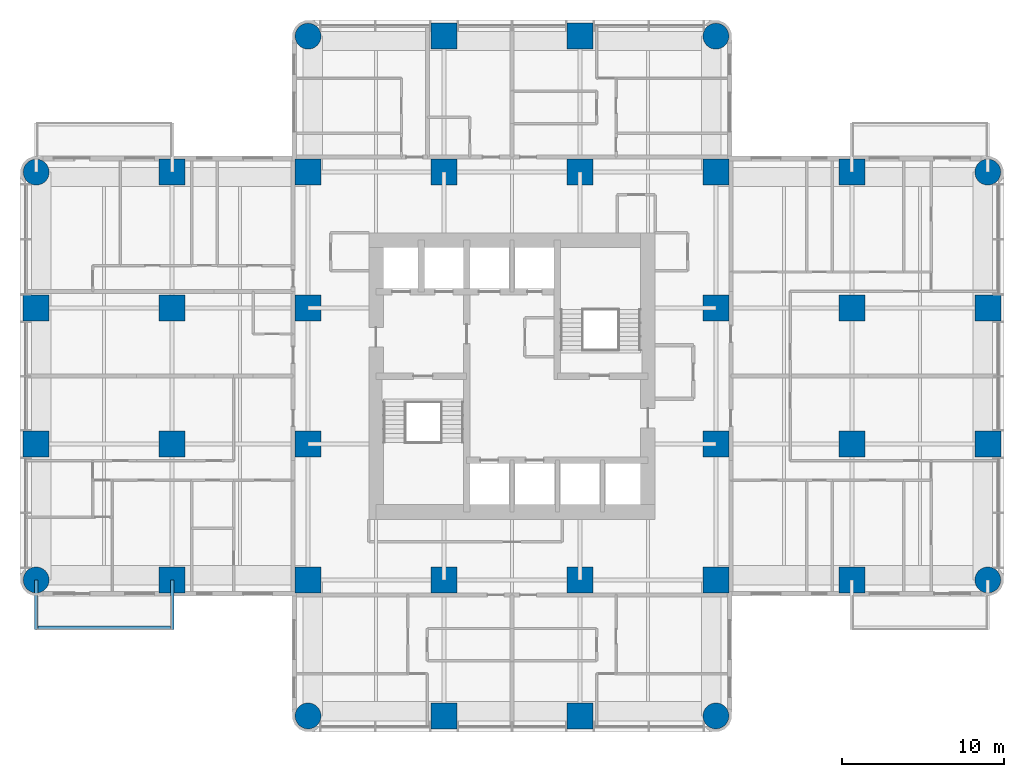
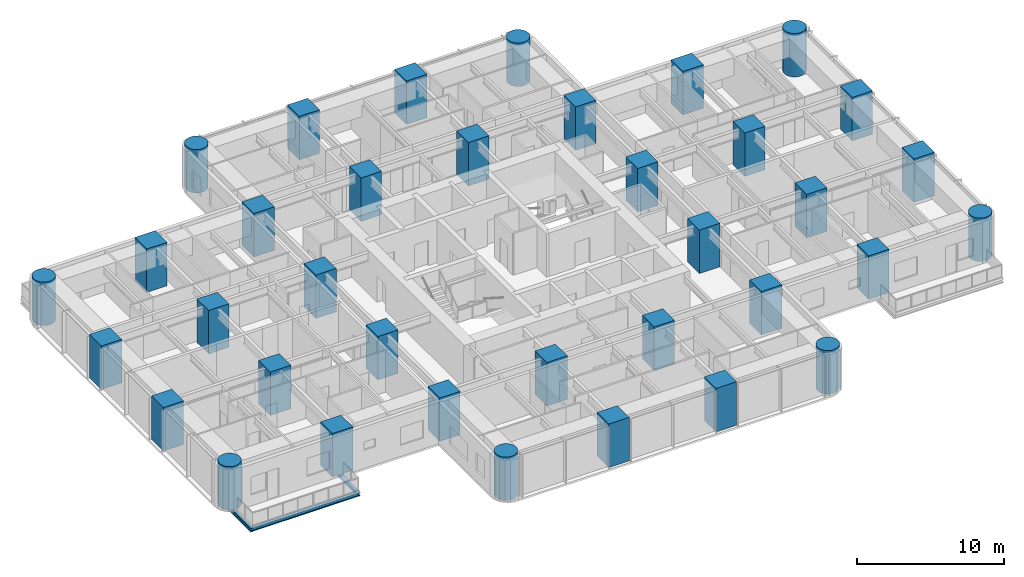
# One storey, part 1 of 14: 36 columns, 3 beams.
"""IFC4 building model written with IfcOpenShell, lengths in metres."""

from ifc_helpers import new_model, si_unit, direction, frame, origin, origin_2d, place, context, subcontext, project, spatial, rectangle, circle, i_section, extrude, material, material_profile, profile_set, type_object, element, save


model = new_model("IFC4")

# Units and contexts
model_context = context("Model", 3, precision=1e-05, world=origin(), true_north=direction((0.0, 1.0)))
body_context = subcontext(model_context, "Body", "Model", "MODEL_VIEW")
ifc_project = project(units=[si_unit("LENGTHUNIT", "METRE"), si_unit("AREAUNIT", "SQUARE_METRE"), si_unit("VOLUMEUNIT", "CUBIC_METRE"), si_unit("PLANEANGLEUNIT", "RADIAN"), si_unit("MASSUNIT", "GRAM", prefix="KILO")], contexts=[model_context])

# Site, building, storey
site_placement = place(None, origin())
site = spatial("IfcSite", under=ifc_project, at=site_placement, CompositionType="ELEMENT")
building_placement = place(site_placement, origin())
building = spatial("IfcBuilding", under=site, at=building_placement, Name="Torre Alcanfor", CompositionType="ELEMENT")
storey_placement = place(building_placement, frame((0.0, 0.0, 134.10009765625)))
storey = spatial("IfcBuildingStorey", under=building, at=storey_placement, Name="L34", CompositionType="ELEMENT", Elevation=134.10009765625)

# Columns
ifc_material_1 = material(Name="Concrete f'c 70 MPa", Category="concrete")
ifc_material_profile_1 = material_profile(ifc_material_1, rectangle(XDim=1.60009765625, YDim=1.60009765625, at=origin_2d()), Name="1600x1600")
ifc_profile_set_1 = profile_set([ifc_material_profile_1], Name="Concrete f'c 70 MPa")
column_type_1 = type_object("IfcColumnType", Name="RC column 1600x1600 f'c70", PredefinedType="COLUMN", material=ifc_profile_set_1)
for number, where, z_axis, x_axis, name in (
    (1, (0.0, 25.199951171875, 0.0), (0.0, 0.0, 1.0), (1.0, 0.0, 0.0), "Column 1/F L34"),
    (2, (0.0, 33.60009765625, 0.0), (0.0, 0.0, 1.0), (1.0, 0.0, 0.0), "Column 1/G L34"),
    (3, (8.39990234375, 16.800048828125, 0.0), (0.0, 0.0, 1.0), (1.0, 0.0, 0.0), "Column 2/E L34"),
    (4, (8.39990234375, 25.199951171875, 0.0), (0.0, 0.0, 1.0), (1.0, 0.0, 0.0), "Column 2/F L34"),
    (5, (8.39990234375, 33.60009765625, 0.0), (0.0, 0.0, 1.0), (1.0, 0.0, 0.0), "Column 2/G L34"),
    (6, (8.39990234375, 42.0, 0.0), (0.0, 0.0, 1.0), (1.0, 0.0, 0.0), "Column 2/H L34"),
    (7, (16.800048828125, 16.800048828125, 0.0), (0.0, 0.0, 1.0), (1.0, 0.0, 0.0), "Column 3/E L34"),
    (8, (16.800048828125, 25.199951171875, 0.0), (0.0, 0.0, 1.0), (1.0, 0.0, 0.0), "Column 3/F L34"),
    (9, (16.800048828125, 33.60009765625, 0.0), (0.0, 0.0, 1.0), (1.0, 0.0, 0.0), "Column 3/G L34"),
    (10, (16.800048828125, 42.0, 0.0), (0.0, 0.0, 1.0), (1.0, 0.0, 0.0), "Column 3/H L34"),
    (11, (25.199951171875, 8.39990234375, 0.0), (0.0, 0.0, 1.0), (1.0, 0.0, 0.0), "Column 4/D L34"),
    (12, (25.199951171875, 16.800048828125, 0.0), (0.0, 0.0, 1.0), (1.0, 0.0, 0.0), "Column 4/E L34"),
    (13, (25.199951171875, 42.0, 0.0), (0.0, 0.0, 1.0), (1.0, 0.0, 0.0), "Column 4/H L34"),
    (14, (25.199951171875, 50.39990234375, 0.0), (0.0, 0.0, 1.0), (1.0, 0.0, 0.0), "Column 4/J L34"),
    (15, (33.60009765625, 8.39990234375, 0.0), (0.0, 0.0, 1.0), (1.0, 0.0, 0.0), "Column 5/D L34"),
    (16, (33.60009765625, 16.800048828125, 0.0), (0.0, 0.0, 1.0), (1.0, 0.0, 0.0), "Column 5/E L34"),
    (17, (33.60009765625, 42.0, 0.0), (0.0, 0.0, 1.0), (1.0, 0.0, 0.0), "Column 5/H L34"),
    (18, (33.60009765625, 50.39990234375, 0.0), (0.0, 0.0, 1.0), (1.0, 0.0, 0.0), "Column 5/J L34"),
    (19, (42.0, 16.800048828125, 0.0), (0.0, 0.0, 1.0), (1.0, 0.0, 0.0), "Column 6/E L34"),
    (20, (42.0, 25.199951171875, 0.0), (0.0, 0.0, 1.0), (1.0, 0.0, 0.0), "Column 6/F L34"),
    (21, (42.0, 33.60009765625, 0.0), (0.0, 0.0, 1.0), (1.0, 0.0, 0.0), "Column 6/G L34"),
    (22, (42.0, 42.0, 0.0), (0.0, 0.0, 1.0), (1.0, 0.0, 0.0), "Column 6/H L34"),
    (23, (50.39990234375, 16.800048828125, 0.0), (0.0, 0.0, 1.0), (1.0, 0.0, 0.0), "Column 7/E L34"),
    (24, (50.39990234375, 25.199951171875, 0.0), (0.0, 0.0, 1.0), (1.0, 0.0, 0.0), "Column 7/F L34"),
    (25, (50.39990234375, 33.60009765625, 0.0), (0.0, 0.0, 1.0), (1.0, 0.0, 0.0), "Column 7/G L34"),
    (26, (50.39990234375, 42.0, 0.0), (0.0, 0.0, 1.0), (1.0, 0.0, 0.0), "Column 7/H L34"),
    (27, (58.800048828125, 25.199951171875, 0.0), (0.0, 0.0, 1.0), (1.0, 0.0, 0.0), "Column 8/F L34"),
    (28, (58.800048828125, 33.60009765625, 0.0), (0.0, 0.0, 1.0), (1.0, 0.0, 0.0), "Column 8/G L34"),
):
    element("IfcColumn", number, at=place(storey_placement, frame(where, z_axis=z_axis, x_axis=x_axis)), inside=storey, type_object=column_type_1, Name=name, PredefinedType="COLUMN", context=body_context, shape_type="SweptSolid", body=[
        extrude(rectangle(XDim=1.60009765625, YDim=1.60009765625, at=origin_2d()), origin(), (0.0, 0.0, 1.0), 3.599853515625),
    ])
ifc_material_2 = material(Name="Concrete f'c 70 MPa", Category="concrete")
ifc_material_profile_2 = material_profile(ifc_material_2, circle(Radius=0.800048828125, at=origin_2d()), Name="D1600")
ifc_profile_set_2 = profile_set([ifc_material_profile_2], Name="Concrete f'c 70 MPa")
column_type_2 = type_object("IfcColumnType", Name="RC column D1600 f'c70", PredefinedType="COLUMN", material=ifc_profile_set_2)
for number, where, z_axis, x_axis, name in (
    (29, (0.0, 16.800048828125, 0.0), (0.0, 0.0, 1.0), (1.0, 0.0, 0.0), "Column 1/E L34"),
    (30, (0.0, 42.0, 0.0), (0.0, 0.0, 1.0), (1.0, 0.0, 0.0), "Column 1/H L34"),
    (31, (16.800048828125, 8.39990234375, 0.0), (0.0, 0.0, 1.0), (1.0, 0.0, 0.0), "Column 3/D L34"),
    (32, (16.800048828125, 50.39990234375, 0.0), (0.0, 0.0, 1.0), (1.0, 0.0, 0.0), "Column 3/J L34"),
    (33, (42.0, 8.39990234375, 0.0), (0.0, 0.0, 1.0), (1.0, 0.0, 0.0), "Column 6/D L34"),
    (34, (42.0, 50.39990234375, 0.0), (0.0, 0.0, 1.0), (1.0, 0.0, 0.0), "Column 6/J L34"),
    (35, (58.800048828125, 16.800048828125, 0.0), (0.0, 0.0, 1.0), (1.0, 0.0, 0.0), "Column 8/E L34"),
    (36, (58.800048828125, 42.0, 0.0), (0.0, 0.0, 1.0), (1.0, 0.0, 0.0), "Column 8/H L34"),
):
    element("IfcColumn", number, at=place(storey_placement, frame(where, z_axis=z_axis, x_axis=x_axis)), inside=storey, type_object=column_type_2, Name=name, PredefinedType="COLUMN", context=body_context, shape_type="SweptSolid", body=[
        extrude(circle(Radius=0.800048828125, at=origin_2d()), origin(), (0.0, 0.0, 1.0), 3.599853515625),
    ])

# Beams
ifc_material_3 = material(Name="Steel ASTM A992 Grade 50", Category="steel")
ifc_material_profile_3 = material_profile(ifc_material_3, i_section(OverallWidth=0.205322265625, OverallDepth=0.309814453125, WebThickness=0.00927734375, FlangeThickness=0.016357421875, at=origin_2d()), Name="W12x50")
ifc_profile_set_3 = profile_set([ifc_material_profile_3], Name="Steel ASTM A992 Grade 50")
beam_type_1 = type_object("IfcBeamType", Name="Balcony cantilever beam W12x50", PredefinedType="BEAM", material=ifc_profile_set_3)
for number, where, z_axis, x_axis, name in (
    (37, (8.39990234375, 16.800048828125, -0.35498046875), (0.0, -1.0, 0.0), (1.0, 0.0, 0.0), "Balcony cantilever beam L34-W1 1"),
    (38, (0.0, 16.800048828125, -0.35498046875), (0.0, -1.0, 0.0), (1.0, 0.0, 0.0), "Balcony cantilever beam L34-W1 2"),
):
    element("IfcBeam", number, at=place(storey_placement, frame(where, z_axis=z_axis, x_axis=x_axis)), inside=storey, type_object=beam_type_1, Name=name, PredefinedType="BEAM", context=body_context, shape_type="SweptSolid", body=[
        extrude(i_section(OverallWidth=0.205322265625, OverallDepth=0.309814453125, WebThickness=0.00927734375, FlangeThickness=0.016357421875, at=origin_2d()), origin(), (0.0, 0.0, 1.0), 3.050048828125),
    ])
ifc_material_4 = material(Name="Steel ASTM A992 Grade 50", Category="steel")
ifc_material_profile_4 = material_profile(ifc_material_4, i_section(OverallWidth=0.203369140625, OverallDepth=0.30224609375, WebThickness=0.007568359375, FlangeThickness=0.01318359375, at=origin_2d()), Name="W12x40")
ifc_profile_set_4 = profile_set([ifc_material_profile_4], Name="Steel ASTM A992 Grade 50")
beam_type_2 = type_object("IfcBeamType", Name="Balcony edge trimmer W12x40", PredefinedType="BEAM", material=ifc_profile_set_4)
beam_placement = place(storey_placement, frame((8.39990234375, 13.851806640625, -0.351318359375), z_axis=(-1.0, 0.0, 0.0), x_axis=(0.0, -1.0, 0.0)))
element("IfcBeam", 39, at=beam_placement, inside=storey, type_object=beam_type_2, Name="Balcony edge trimmer L34-W1", PredefinedType="BEAM", context=body_context, shape_type="SweptSolid", body=[
    extrude(i_section(OverallWidth=0.203369140625, OverallDepth=0.30224609375, WebThickness=0.007568359375, FlangeThickness=0.01318359375, at=origin_2d()), origin(), (0.0, 0.0, 1.0), 8.39990234375),
])

save(model, "model.ifc")
